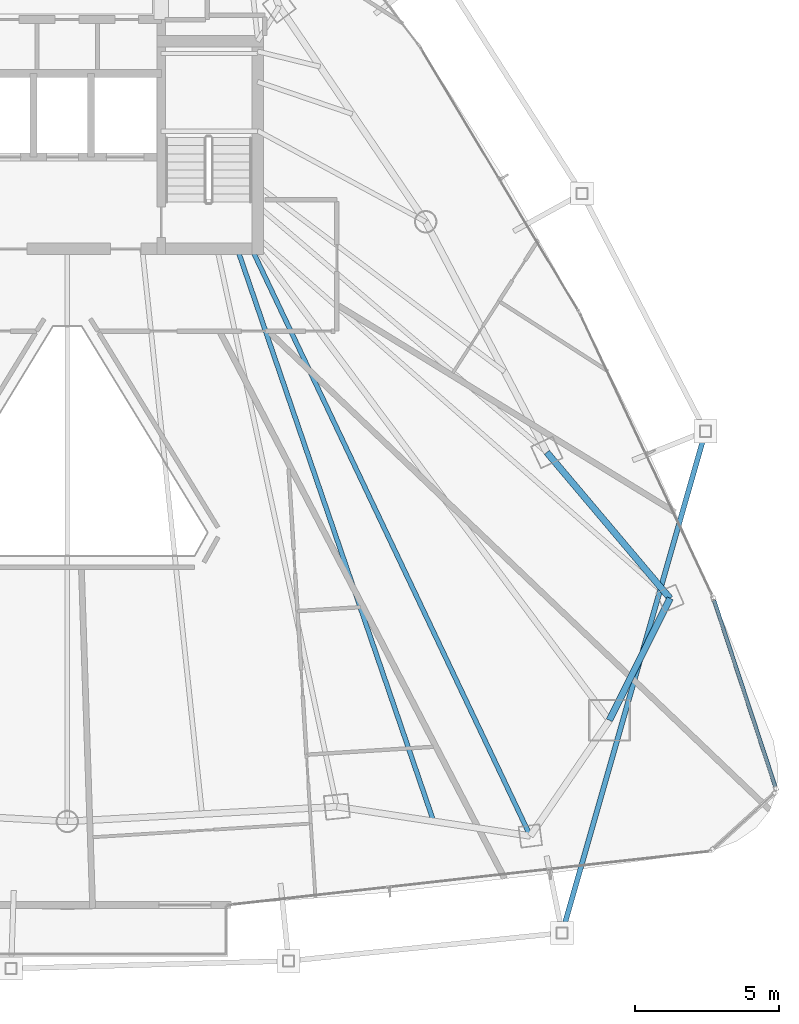
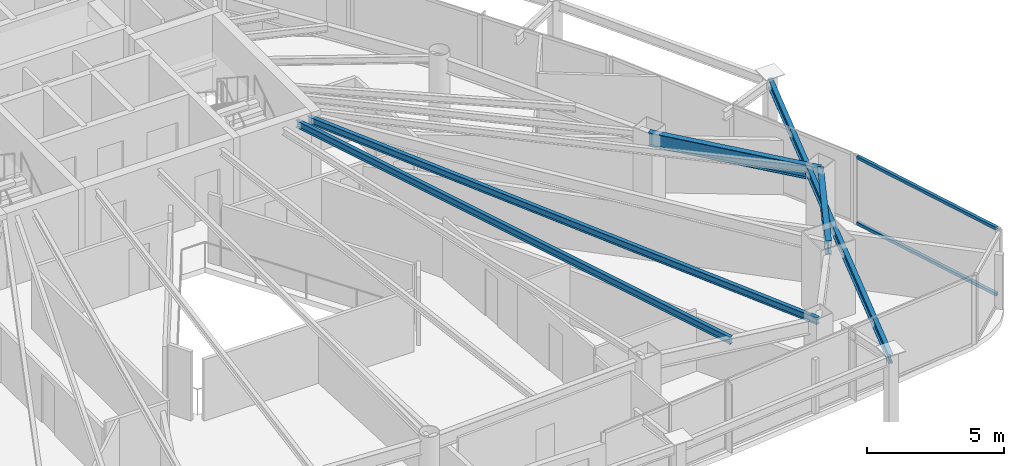
# One storey, part 14 of 29: 5 beams, 2 members, 1 element without a shape of its own.
"""IFC4 building model written with IfcOpenShell, lengths in metres."""

import ifcopenshell
import ifcopenshell.guid

model = None  # the IFC model being written
_history = None  # IfcOwnerHistory: only IFC2X3 demands one
_inside = {}  # id of a spatial element -> (the spatial element, [elements in it])
_under = {}  # id of a project, library or spatial element -> (it, [spatial elements below it])
_declared = {}  # id of a project -> (the project, [libraries it declares])
_typed = {}  # id of a type object -> (the type object, [elements of that type])
_made_of = {}  # id of a material, layer set ... -> (it, [elements and type objects made of it])


def new_model(schema):
    """Start an empty IFC model of exactly this schema.

    Asked for "IFC4X3", IfcOpenShell would pick the latest addendum, in which some entities
    have other attributes; the version numbers below select the first issue.
    IFC2X3 requires an IfcOwnerHistory on every rooted entity: one is made here for all.
    """
    global model, _history
    if schema == "IFC4X3":
        model = ifcopenshell.file(schema_version=(4, 3, 0, 0))
    else:
        model = ifcopenshell.file(schema=schema)
    _inside.clear()
    _under.clear()
    _declared.clear()
    _typed.clear()
    _made_of.clear()
    _history = None
    if model.schema == "IFC2X3":
        org = make("IfcOrganization", Name="unknown")
        user = make(
            "IfcPersonAndOrganization",
            ThePerson=make("IfcPerson", FamilyName="unknown"),
            TheOrganization=org,
        )
        app = make(
            "IfcApplication",
            ApplicationDeveloper=org,
            Version="unknown",
            ApplicationFullName="unknown",
            ApplicationIdentifier="unknown",
        )
        _history = make(
            "IfcOwnerHistory",
            OwningUser=user,
            OwningApplication=app,
            ChangeAction="ADDED",
            CreationDate=0,
        )
    return model


def make(cls, **values):
    """One entity of the class cls with the attributes given. An attribute that is None is left unset."""
    return model.create_entity(
        cls, **{name: value for name, value in values.items() if value is not None}
    )


def rooted(cls, **values):
    """An entity with a GlobalId (a new one), such as an element, a storey or a relation."""
    return make(cls, GlobalId=ifcopenshell.guid.new(), OwnerHistory=_history, **values)


def si_unit(unit_type, name, prefix=None):
    """IfcSIUnit, for example si_unit("LENGTHUNIT", "METRE", prefix="MILLI")."""
    return make("IfcSIUnit", UnitType=unit_type, Prefix=prefix, Name=name)


def assignment(units):
    """IfcUnitAssignment: the units of a project."""
    return None if units is None else make("IfcUnitAssignment", Units=units)


def point(xyz):
    """IfcCartesianPoint."""
    return None if xyz is None else make("IfcCartesianPoint", Coordinates=xyz)


def direction(xyz):
    """IfcDirection."""
    return None if xyz is None else make("IfcDirection", DirectionRatios=xyz)


def frame(location, z_axis=None, x_axis=None):
    """IfcAxis2Placement3D, a coordinate frame: its origin and axes. An axis left out is left unset."""
    return make(
        "IfcAxis2Placement3D",
        Location=point(location),
        Axis=direction(z_axis),
        RefDirection=direction(x_axis),
    )


def frame_2d(location, x_axis=None):
    """IfcAxis2Placement2D, a coordinate frame in the plane: its origin and x axis."""
    return make(
        "IfcAxis2Placement2D", Location=point(location), RefDirection=direction(x_axis)
    )


def origin():
    """The frame at (0, 0, 0) with its axes left unset."""
    return frame((0.0, 0.0, 0.0))


def origin_2d():
    """The frame at (0, 0) in the plane with its x axis left unset."""
    return frame_2d((0.0, 0.0))


def place(relative_to, where):
    """IfcLocalPlacement: puts the frame where relative to a parent placement (None: the world)."""
    return make(
        "IfcLocalPlacement", PlacementRelTo=relative_to, RelativePlacement=where
    )


def context(
    kind, dimensions, precision=None, world=None, true_north=None, identifier=None
):
    """IfcGeometricRepresentationContext, for example the 3D "Model" context."""
    return make(
        "IfcGeometricRepresentationContext",
        ContextIdentifier=identifier,
        ContextType=kind,
        CoordinateSpaceDimension=dimensions,
        Precision=precision,
        WorldCoordinateSystem=world,
        TrueNorth=true_north,
    )


def subcontext(parent, identifier, kind, view, scale=None):
    """IfcGeometricRepresentationSubContext, for example "Body" below "Model"."""
    return make(
        "IfcGeometricRepresentationSubContext",
        ContextIdentifier=identifier,
        ContextType=kind,
        ParentContext=parent,
        TargetScale=scale,
        TargetView=view,
    )


def project(units=None, contexts=None):
    """IfcProject with its units and contexts."""
    return rooted(
        "IfcProject",
        Name="project",
        RepresentationContexts=contexts,
        UnitsInContext=assignment(units),
    )


def spatial(cls, under=None, at=None, **own):
    """A site, building, storey or space (cls), placed at a placement, below another one or the project."""
    s = rooted(cls, ObjectPlacement=at, **own)
    if under is not None:
        _under.setdefault(under.id(), (under, []))[1].append(s)
    return s


def profile(cls, at=None, kind="AREA", **sizes):
    """A parametric profile (cls). Its sizes go by their IFC names, for example OverallWidth=200.0."""
    return make(cls, ProfileType=kind, Position=at, **sizes)


def hollow_rectangle(**sizes):
    """IfcRectangleHollowProfileDef."""
    return profile("IfcRectangleHollowProfileDef", **sizes)


def i_section(**sizes):
    """IfcIShapeProfileDef."""
    return profile("IfcIShapeProfileDef", **sizes)


def extrude(swept, where, along, depth):
    """IfcExtrudedAreaSolid: the profile swept, set in the frame where, extruded along a direction by depth."""
    return make(
        "IfcExtrudedAreaSolid",
        SweptArea=swept,
        Position=where,
        ExtrudedDirection=direction(along),
        Depth=depth,
    )


def shape(context_of_items, identifier, shape_type, items):
    """IfcShapeRepresentation: the items that make up one representation, for example the "Body"."""
    return make(
        "IfcShapeRepresentation",
        ContextOfItems=context_of_items,
        RepresentationIdentifier=identifier,
        RepresentationType=shape_type,
        Items=items,
    )


def material(Name=None, Category=None):
    """IfcMaterial."""
    return make("IfcMaterial", Name=Name, Category=Category)


def layer(
    of_material, thickness, ventilated=None, Name=None, Category=None, Priority=None
):
    """IfcMaterialLayer: one layer of a wall or slab, of a material (None: an air gap)."""
    return make(
        "IfcMaterialLayer",
        Material=of_material,
        LayerThickness=thickness,
        IsVentilated=ventilated,
        Name=Name,
        Category=Category,
        Priority=Priority,
    )


def layer_set(layers, Name=None):
    """IfcMaterialLayerSet."""
    return make("IfcMaterialLayerSet", MaterialLayers=layers, LayerSetName=Name)


def material_profile(
    of_material, cross_section, Name=None, Category=None, Priority=None
):
    """IfcMaterialProfile: a cross section and its material."""
    return make(
        "IfcMaterialProfile",
        Name=Name,
        Material=of_material,
        Profile=cross_section,
        Priority=Priority,
        Category=Category,
    )


def profile_set(profiles, Name=None, composite=None):
    """IfcMaterialProfileSet."""
    return make(
        "IfcMaterialProfileSet",
        Name=Name,
        MaterialProfiles=profiles,
        CompositeProfile=composite,
    )


def made_of(thing, what):
    """Note that an element or type object is made of a material, layer set ...; save() writes the relation."""
    if what is not None:
        _made_of.setdefault(what.id(), (what, []))[1].append(thing)
    return thing


def type_object(cls, material=None, **own):
    """A type object (cls), such as IfcWallType, which elements share."""
    return made_of(rooted(cls, **own), material)


def element(
    cls,
    number,
    at=None,
    inside=None,
    cuts=None,
    type_object=None,
    material=None,
    context=None,
    identifier="Body",
    shape_type=None,
    held_by="IfcProductDefinitionShape",
    body=None,
    shapes=None,
    **own,
):
    """One element of the class cls, such as IfcWall. Its Tag is "e" and its number.

    at: its placement. inside: the storey or other place that contains it. cuts: it is an
    opening in that element (IfcRelVoidsElement). A single representation is given by context,
    identifier, shape_type and body (its items); several are given by shapes. held_by: the class
    of the entity that holds the representations. save() writes the other relations.
    """
    e = rooted(cls, Tag="e%d" % number, ObjectPlacement=at, **own)
    if body is not None:
        shapes = [shape(context, identifier, shape_type, body)]
    if shapes is not None:
        e.Representation = make(held_by, Representations=shapes)
    if inside is not None:
        _inside.setdefault(inside.id(), (inside, []))[1].append(e)
    if cuts is not None:
        rooted(
            "IfcRelVoidsElement", RelatingBuildingElement=cuts, RelatedOpeningElement=e
        )
    if type_object is not None:
        _typed.setdefault(type_object.id(), (type_object, []))[1].append(e)
    return made_of(e, material)


def aggregate(whole, parts):
    """IfcRelAggregates: a whole, such as a stair, and the parts it consists of."""
    return rooted("IfcRelAggregates", RelatingObject=whole, RelatedObjects=parts)


def save(model, path):
    """Write the relations noted so far, then the file.

    IfcRelAggregates (storeys below a building ...), IfcRelContainedInSpatialStructure (elements
    in a storey), IfcRelDefinesByType, IfcRelAssociatesMaterial and IfcRelDeclares: one each for
    every whole, place, type object, material and project.
    """
    for whole, parts in _under.values():
        aggregate(whole, parts)
    for where, things in _inside.values():
        rooted(
            "IfcRelContainedInSpatialStructure",
            RelatedElements=things,
            RelatingStructure=where,
        )
    for kind, things in _typed.values():
        rooted("IfcRelDefinesByType", RelatedObjects=things, RelatingType=kind)
    for what, things in _made_of.values():
        rooted("IfcRelAssociatesMaterial", RelatedObjects=things, RelatingMaterial=what)
    for by, libraries in _declared.values():
        rooted("IfcRelDeclares", RelatingContext=by, RelatedDefinitions=libraries)
    model.write(path)


model = new_model("IFC4")

# Units and contexts
model_context = context("Model", 3, precision=1e-05, world=origin(), true_north=direction((0.0, 1.0)))
body_context = subcontext(model_context, "Body", "Model", "MODEL_VIEW")
ifc_project = project(units=[si_unit("LENGTHUNIT", "METRE"), si_unit("AREAUNIT", "SQUARE_METRE"), si_unit("VOLUMEUNIT", "CUBIC_METRE"), si_unit("PLANEANGLEUNIT", "RADIAN"), si_unit("MASSUNIT", "GRAM", prefix="KILO")], contexts=[model_context])

# Site, building, storey
site_placement = place(None, origin())
site = spatial("IfcSite", under=ifc_project, at=site_placement, CompositionType="ELEMENT")
building_placement = place(site_placement, origin())
building = spatial("IfcBuilding", under=site, at=building_placement, Name="Orvanel Arch Residences", CompositionType="ELEMENT")
storey_placement = place(building_placement, frame((0.0, 0.0, 177.050048828125)))
storey = spatial("IfcBuildingStorey", under=building, at=storey_placement, Name="L50", CompositionType="ELEMENT", Elevation=177.050048828125)

# Beams
ifc_material_1 = material(Name="Structural steel AS/NZS 3679.1 Grade 300 (300 MPa)", Category="steel")
ifc_material_profile_1 = material_profile(ifc_material_1, i_section(OverallWidth=0.1650390625, OverallDepth=0.303955078125, WebThickness=0.006103515625, FlangeThickness=0.01025390625, at=origin_2d()), Name="310UB40.4")
ifc_profile_set_1 = profile_set([ifc_material_profile_1], Name="Structural steel AS/NZS 3679.1 Grade 300 (300 MPa)")
beam_type_1 = type_object("IfcBeamType", Name="BJ-310UB", PredefinedType="JOIST", material=ifc_profile_set_1)
beam_1_placement = place(storey_placement, frame((39.39990234375, 26.699951171875, 2.907958984375), z_axis=(0.428614365266, -0.903487534993, 0.0), x_axis=(0.903487534993, 0.428614365266, 0.0)))
element("IfcBeam", 1, at=beam_1_placement, inside=storey, type_object=beam_type_1, Name="L50 MSE Wing Floor Joist", PredefinedType="JOIST", context=body_context, shape_type="SweptSolid", body=[
    extrude(i_section(OverallWidth=0.1650390625, OverallDepth=0.303955078125, WebThickness=0.006103515625, FlangeThickness=0.01025390625, at=origin_2d()), origin(), (0.0, 0.0, 1.0), 22.535888671875),
])
beam_2_placement = place(storey_placement, frame((38.89990234375, 26.699951171875, 2.907958984375), z_axis=(0.324257108963, -0.945968988544, 0.0), x_axis=(0.945968988544, 0.324257108963, 0.0)))
element("IfcBeam", 2, at=beam_2_placement, inside=storey, type_object=beam_type_1, Name="L50 JADD2 Wing Floor Joist", PredefinedType="JOIST", context=body_context, shape_type="SweptSolid", body=[
    extrude(i_section(OverallWidth=0.1650390625, OverallDepth=0.303955078125, WebThickness=0.006103515625, FlangeThickness=0.01025390625, at=origin_2d()), origin(), (0.0, 0.0, 1.0), 20.987060546875),
])
ifc_material_profile_2 = material_profile(ifc_material_1, i_section(OverallWidth=0.177978515625, OverallDepth=0.406005859375, WebThickness=0.0078125, FlangeThickness=0.0126953125, at=origin_2d()), Name="410UB59.7")
ifc_profile_set_2 = profile_set([ifc_material_profile_2], Name="Structural steel AS/NZS 3679.1 Grade 300 (300 MPa)")
beam_type_2 = type_object("IfcBeamType", Name="OB-410UB-EXT", PredefinedType="SPANDREL", material=ifc_profile_set_2)
beam_3_placement = place(storey_placement, frame((50.1630859375, 2.97705078125, 2.85693359375), z_axis=(0.274812004582, 0.961497978229, 0.0), x_axis=(-0.961497978229, 0.274812004582, 0.0)))
element("IfcBeam", 3, at=beam_3_placement, inside=storey, type_object=beam_type_2, Name="L50 Outer Perimeter Floor Ring Beam 08", PredefinedType="SPANDREL", context=body_context, shape_type="SweptSolid", body=[
    extrude(i_section(OverallWidth=0.177978515625, OverallDepth=0.406005859375, WebThickness=0.0078125, FlangeThickness=0.0126953125, at=origin_2d()), origin(), (0.0, 0.0, 1.0), 18.095703125),
])
ifc_material_profile_3 = material_profile(ifc_material_1, i_section(OverallWidth=0.22900390625, OverallDepth=0.612060546875, WebThickness=0.011962890625, FlangeThickness=0.01953125, at=origin_2d()), Name="610UB125")
ifc_profile_set_3 = profile_set([ifc_material_profile_3], Name="Structural steel AS/NZS 3679.1 Grade 300 (300 MPa)")
beam_type_3 = type_object("IfcBeamType", Name="SP-610UB", PredefinedType="SPANDREL", material=ifc_profile_set_3)
beam_4_placement = place(storey_placement, frame((51.801025390625, 10.35107421875, 2.75390625), z_axis=(0.44543469453, 0.895314432425, 0.0), x_axis=(-0.895314432425, 0.44543469453, 0.0)))
element("IfcBeam", 4, at=beam_4_placement, inside=storey, type_object=beam_type_3, Name="L50 Perimeter Spandrel Beam 09", PredefinedType="SPANDREL", context=body_context, shape_type="SweptSolid", body=[
    extrude(i_section(OverallWidth=0.22900390625, OverallDepth=0.612060546875, WebThickness=0.011962890625, FlangeThickness=0.01953125, at=origin_2d()), origin(), (0.0, 0.0, 1.0), 4.723388671875),
])
beam_5_placement = place(storey_placement, frame((53.905029296875, 14.580078125, 2.75390625), z_axis=(-0.644950329775, 0.764224490659, 0.0), x_axis=(-0.764224490659, -0.644950329775, 0.0)))
element("IfcBeam", 5, at=beam_5_placement, inside=storey, type_object=beam_type_3, Name="L50 Perimeter Spandrel Beam 10", PredefinedType="SPANDREL", context=body_context, shape_type="SweptSolid", body=[
    extrude(i_section(OverallWidth=0.22900390625, OverallDepth=0.612060546875, WebThickness=0.011962890625, FlangeThickness=0.01953125, at=origin_2d()), origin(), (0.0, 0.0, 1.0), 6.623779296875),
])

# Curtain wall, members
ifc_material_2 = material(Name="Bronze-anodised aluminium AA6063-T6", Category="aluminium")
ifc_layer = layer(ifc_material_2, 0.18994140625)
ifc_layer_set = layer_set([ifc_layer], Name="Bronze-anodised aluminium AA6063-T6")
curtain_wall_type = type_object("IfcCurtainWallType", Name="CW5-CRN-SYS", PredefinedType="NOTDEFINED", material=ifc_layer_set)
curtain_wall_placement = place(storey_placement, origin())
curtain_wall = element("IfcCurtainWall", 6, at=curtain_wall_placement, inside=storey, type_object=curtain_wall_type, Name="L50 CW5-CRN-SYS Unitised Curtain Wall", PredefinedType="NOTDEFINED")
ifc_material_profile_4 = material_profile(ifc_material_2, hollow_rectangle(XDim=0.1298828125, YDim=0.1298828125, WallThickness=0.00439453125, at=origin_2d()), Name="ALU130x130x4.5")
ifc_profile_set_4 = profile_set([ifc_material_profile_4], Name="Bronze-anodised aluminium AA6063-T6")
member_type = type_object("IfcMemberType", Name="TRN-130x130", PredefinedType="USERDEFINED", material=ifc_profile_set_4)
member_1_placement = place(storey_placement, frame((57.55517578125, 8.055419921875, 0.06494140625), z_axis=(-0.312420994086, 0.949943746995, 0.0), x_axis=(-0.949943746995, -0.312420994086, 0.0)))
member_1 = element("IfcMember", 7, at=member_1_placement, type_object=member_type, Name="CW-S5 transom 1.1", ObjectType="TRANSOM", PredefinedType="USERDEFINED", context=body_context, shape_type="SweptSolid", body=[
    extrude(hollow_rectangle(XDim=0.1298828125, YDim=0.1298828125, WallThickness=0.00439453125, at=origin_2d()), origin(), (0.0, 0.0, 1.0), 6.796142578125),
])
member_2_placement = place(storey_placement, frame((57.55517578125, 8.055419921875, 2.994873046875), z_axis=(-0.312420994086, 0.949943746995, 0.0), x_axis=(-0.949943746995, -0.312420994086, 0.0)))
member_2 = element("IfcMember", 8, at=member_2_placement, type_object=member_type, Name="CW-S5 transom 1.2", ObjectType="TRANSOM", PredefinedType="USERDEFINED", context=body_context, shape_type="SweptSolid", body=[
    extrude(hollow_rectangle(XDim=0.1298828125, YDim=0.1298828125, WallThickness=0.00439453125, at=origin_2d()), origin(), (0.0, 0.0, 1.0), 6.796142578125),
])
aggregate(curtain_wall, [member_1, member_2])

save(model, "model.ifc")
